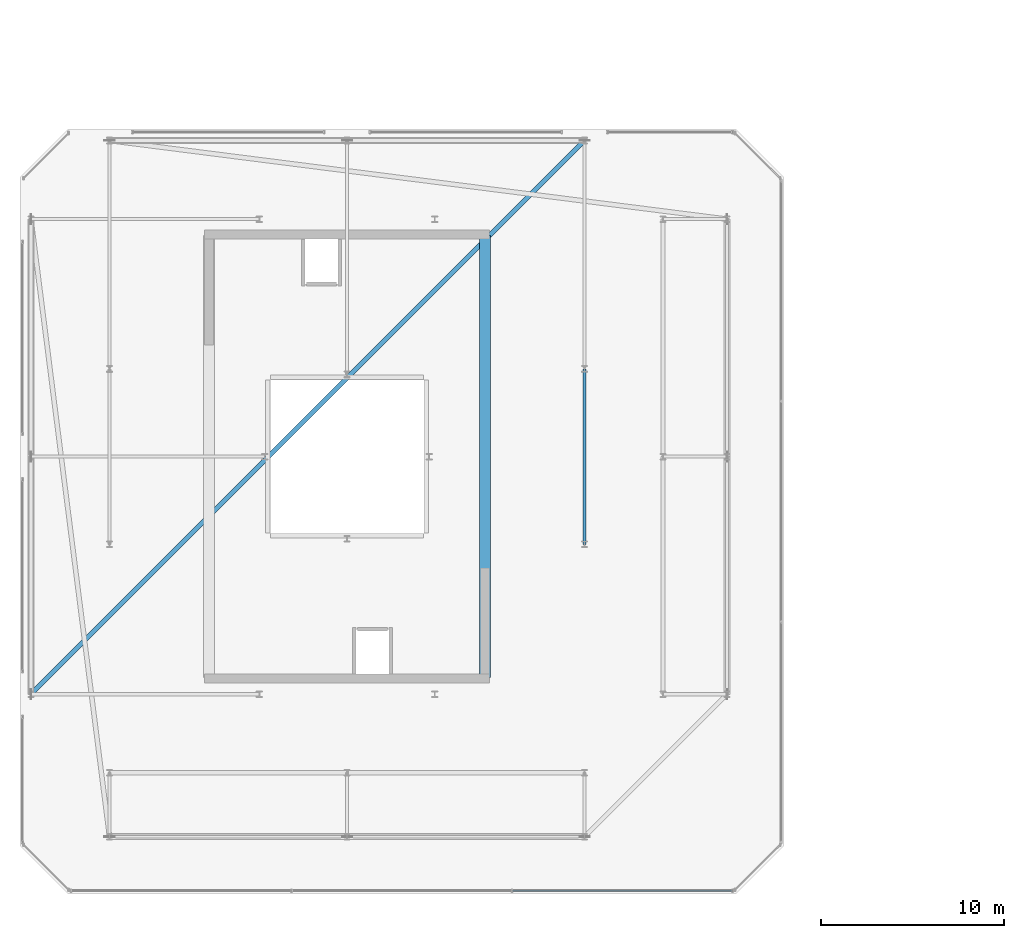
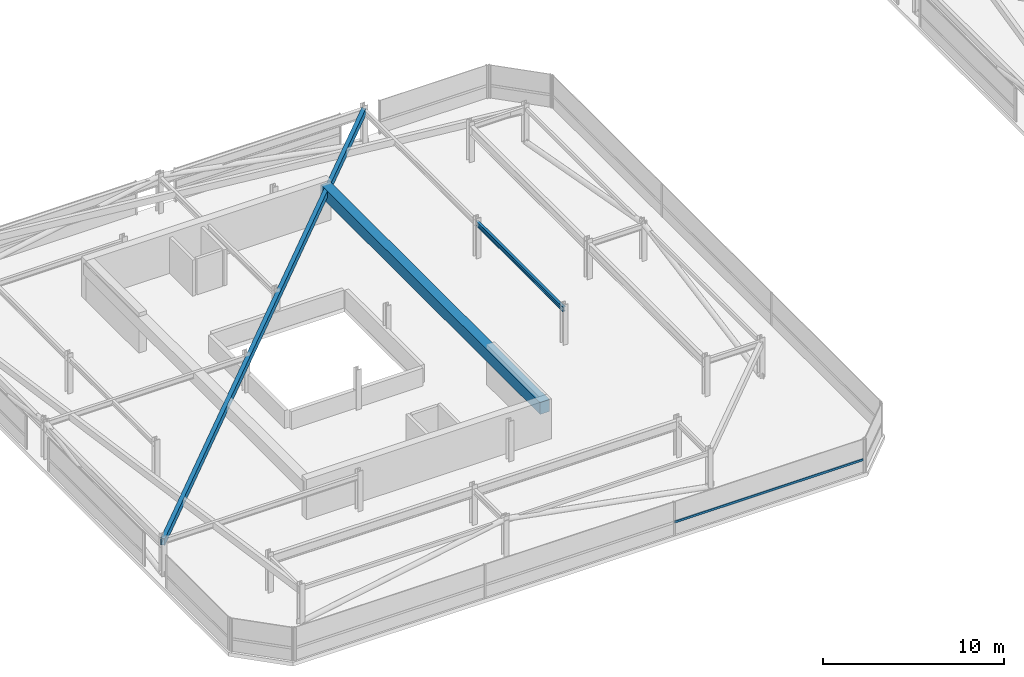
# One storey, part 15 of 42: 3 beams, 1 member, 1 element without a shape of its own.
"""IFC4 building model written with IfcOpenShell, lengths in metres."""

from ifc_helpers import new_model, si_unit, direction, frame, origin, origin_2d, place, context, subcontext, project, spatial, rectangle, hollow_rectangle, i_section, extrude, material, material_profile, profile_set, type_object, element, aggregate, save


model = new_model("IFC4")

# Units and contexts
model_context = context("Model", 3, precision=1e-05, world=origin(), true_north=direction((0.0, 1.0)))
body_context = subcontext(model_context, "Body", "Model", "MODEL_VIEW")
ifc_project = project(units=[si_unit("LENGTHUNIT", "METRE"), si_unit("AREAUNIT", "SQUARE_METRE"), si_unit("VOLUMEUNIT", "CUBIC_METRE"), si_unit("PLANEANGLEUNIT", "RADIAN"), si_unit("MASSUNIT", "GRAM", prefix="KILO")], contexts=[model_context])

# Site, building, storey
site_placement = place(None, origin())
site = spatial("IfcSite", under=ifc_project, at=site_placement, CompositionType="ELEMENT")
building_placement = place(site_placement, origin())
building = spatial("IfcBuilding", under=site, at=building_placement, Name="Thornwick Lancets Civic Towers", CompositionType="ELEMENT")
storey_placement = place(building_placement, frame((0.0, 0.0, 284.10009765625)))
storey = spatial("IfcBuildingStorey", under=building, at=storey_placement, Name="C02", CompositionType="ELEMENT", Elevation=284.10009765625)

# Beams
ifc_material_1 = material(Name="Concrete C60/75", Category="concrete")
ifc_material_profile_1 = material_profile(ifc_material_1, rectangle(XDim=0.60009765625, YDim=0.800048828125, at=origin_2d()), Name="RC 600x800")
ifc_profile_set_1 = profile_set([ifc_material_profile_1], Name="Concrete C60/75")
beam_type_1 = type_object("IfcBeamType", Name="BM_COUP_RC800", PredefinedType="BEAM", material=ifc_profile_set_1)
beam_1_placement = place(storey_placement, frame((33.050048828125, 14.89990234375, 2.039794921875), z_axis=(0.0, 1.0, 0.0), x_axis=(-1.0, 0.0, 0.0)))
element("IfcBeam", 1, at=beam_1_placement, inside=storey, type_object=beam_type_1, Name="CB-C02-A1", PredefinedType="BEAM", context=body_context, shape_type="SweptSolid", body=[
    extrude(rectangle(XDim=0.60009765625, YDim=0.800048828125, at=origin_2d()), origin(), (0.0, 0.0, 1.0), 24.2001953125),
])
ifc_material_2 = material(Name="Steel S355JR", Category="steel")
ifc_material_profile_2 = material_profile(ifc_material_2, i_section(OverallWidth=0.1669921875, OverallDepth=0.310302734375, WebThickness=0.0078125, FlangeThickness=0.013671875, FilletRadius=0.0087890625, at=origin_2d()), Name="UKB 305x165x54")
ifc_profile_set_2 = profile_set([ifc_material_profile_2], Name="Steel S355JR")
beam_type_2 = type_object("IfcBeamType", Name="BM_LINTEL_305_54", PredefinedType="LINTEL", material=ifc_profile_set_2)
beam_2_placement = place(storey_placement, frame((38.5, 22.199951171875, 2.28466796875), z_axis=(0.0, 1.0, 0.0), x_axis=(-1.0, 0.0, 0.0)))
element("IfcBeam", 2, at=beam_2_placement, inside=storey, type_object=beam_type_2, Name="BM-INSP-C02-A-1-3", PredefinedType="LINTEL", context=body_context, shape_type="SweptSolid", body=[
    extrude(i_section(OverallWidth=0.1669921875, OverallDepth=0.310302734375, WebThickness=0.0078125, FlangeThickness=0.013671875, FilletRadius=0.0087890625, at=origin_2d()), origin(), (0.0, 0.0, 1.0), 9.60009765625),
])
ifc_material_profile_3 = material_profile(ifc_material_2, hollow_rectangle(XDim=0.25, YDim=0.449951171875, WallThickness=0.01611328125, at=origin_2d()), Name="RHS 450x250x16")
ifc_profile_set_3 = profile_set([ifc_material_profile_3], Name="Steel S355JR")
beam_type_3 = type_object("IfcBeamType", Name="BM_RING_RHS450", PredefinedType="BEAM", material=ifc_profile_set_3)
beam_3_placement = place(storey_placement, frame((38.5, 44.300048828125, 2.21484375), z_axis=(-0.707106781187, -0.707106781187, 0.0), x_axis=(0.707106781187, -0.707106781187, 0.0)))
element("IfcBeam", 3, at=beam_3_placement, inside=storey, type_object=beam_type_3, Name="BM-CHAMF-C02-A-C2", PredefinedType="BEAM", context=body_context, shape_type="SweptSolid", body=[
    extrude(hollow_rectangle(XDim=0.25, YDim=0.449951171875, WallThickness=0.01611328125, at=origin_2d()), origin(), (0.0, 0.0, 1.0), 42.850830078125),
])

# Curtain wall, member
ifc_material_3 = material(Name="Crown ring acoustic-louvre and glazing screen wall", Category="glass")
curtain_wall_type = type_object("IfcCurtainWallType", Name="CW_SYS_07", PredefinedType="NOTDEFINED", material=ifc_material_3)
curtain_wall_placement = place(storey_placement, origin())
curtain_wall = element("IfcCurtainWall", 4, at=curtain_wall_placement, inside=storey, type_object=curtain_wall_type, Name="C02 Curtain Wall CW-C02-A-E0", PredefinedType="NOTDEFINED")
ifc_material_4 = material(Name="Thermally broken bronze aluminium S355", Category="steel")
ifc_material_profile_4 = material_profile(ifc_material_4, hollow_rectangle(XDim=0.074951171875, YDim=0.14990234375, WallThickness=0.0048828125, at=origin_2d()), Name="RHS 150x75x5")
ifc_profile_set_4 = profile_set([ifc_material_profile_4], Name="Thermally broken bronze aluminium S355")
member_type = type_object("IfcMemberType", Name="CW_TRN_150", PredefinedType="USERDEFINED", material=ifc_profile_set_4)
member_placement = place(storey_placement, frame((34.5537109375, 3.2353515625, 0.849853515625), z_axis=(1.0, 0.0, 0.0), x_axis=(0.0, 1.0, 0.0)))
member = element("IfcMember", 5, at=member_placement, type_object=member_type, Name="CW-C02-A-E0 Transom 2", ObjectType="TRANSOM", PredefinedType="USERDEFINED", context=body_context, shape_type="SweptSolid", body=[
    extrude(hollow_rectangle(XDim=0.074951171875, YDim=0.14990234375, WallThickness=0.0048828125, at=origin_2d()), origin(), (0.0, 0.0, 1.0), 12.027587890625),
])
aggregate(curtain_wall, [member])

save(model, "model.ifc")
